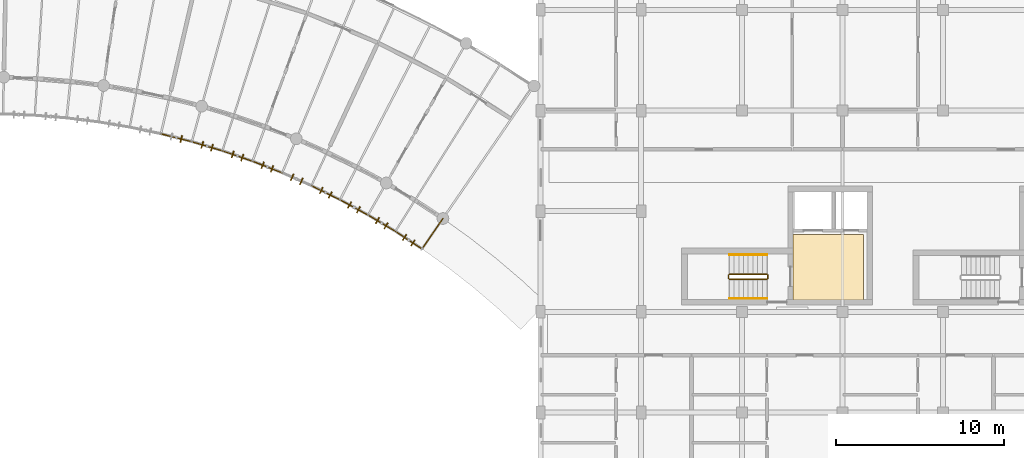
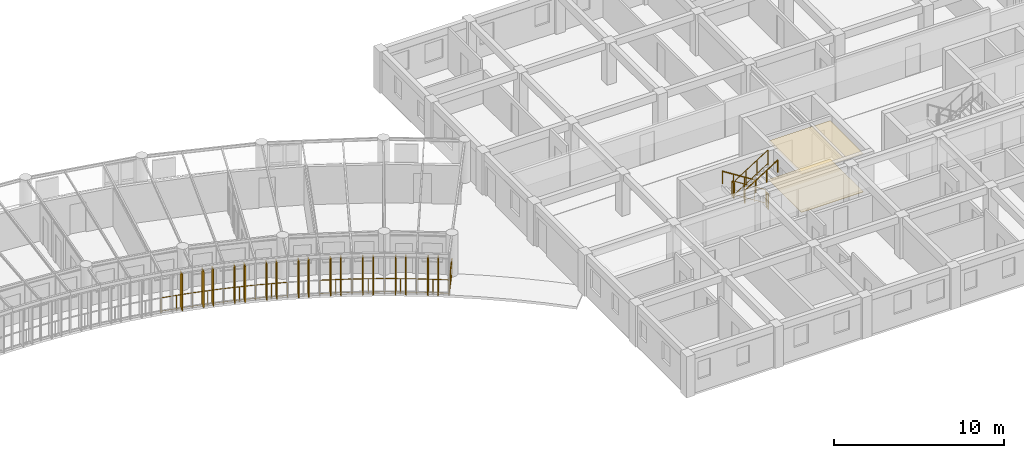
# One storey, part 121 of 123: 17 shading devices, 15 railings, 2 coverings.
"""IFC4 building model written with IfcOpenShell, lengths in metres."""

import ifcopenshell
import ifcopenshell.guid

model = None  # the IFC model being written
_history = None  # IfcOwnerHistory: only IFC2X3 demands one
_inside = {}  # id of a spatial element -> (the spatial element, [elements in it])
_under = {}  # id of a project, library or spatial element -> (it, [spatial elements below it])
_declared = {}  # id of a project -> (the project, [libraries it declares])
_typed = {}  # id of a type object -> (the type object, [elements of that type])
_made_of = {}  # id of a material, layer set ... -> (it, [elements and type objects made of it])


def new_model(schema):
    """Start an empty IFC model of exactly this schema.

    Asked for "IFC4X3", IfcOpenShell would pick the latest addendum, in which some entities
    have other attributes; the version numbers below select the first issue.
    IFC2X3 requires an IfcOwnerHistory on every rooted entity: one is made here for all.
    """
    global model, _history
    if schema == "IFC4X3":
        model = ifcopenshell.file(schema_version=(4, 3, 0, 0))
    else:
        model = ifcopenshell.file(schema=schema)
    _inside.clear()
    _under.clear()
    _declared.clear()
    _typed.clear()
    _made_of.clear()
    _history = None
    if model.schema == "IFC2X3":
        org = make("IfcOrganization", Name="unknown")
        user = make(
            "IfcPersonAndOrganization",
            ThePerson=make("IfcPerson", FamilyName="unknown"),
            TheOrganization=org,
        )
        app = make(
            "IfcApplication",
            ApplicationDeveloper=org,
            Version="unknown",
            ApplicationFullName="unknown",
            ApplicationIdentifier="unknown",
        )
        _history = make(
            "IfcOwnerHistory",
            OwningUser=user,
            OwningApplication=app,
            ChangeAction="ADDED",
            CreationDate=0,
        )
    return model


def make(cls, **values):
    """One entity of the class cls with the attributes given. An attribute that is None is left unset."""
    return model.create_entity(
        cls, **{name: value for name, value in values.items() if value is not None}
    )


def rooted(cls, **values):
    """An entity with a GlobalId (a new one), such as an element, a storey or a relation."""
    return make(cls, GlobalId=ifcopenshell.guid.new(), OwnerHistory=_history, **values)


def si_unit(unit_type, name, prefix=None):
    """IfcSIUnit, for example si_unit("LENGTHUNIT", "METRE", prefix="MILLI")."""
    return make("IfcSIUnit", UnitType=unit_type, Prefix=prefix, Name=name)


def assignment(units):
    """IfcUnitAssignment: the units of a project."""
    return None if units is None else make("IfcUnitAssignment", Units=units)


def point(xyz):
    """IfcCartesianPoint."""
    return None if xyz is None else make("IfcCartesianPoint", Coordinates=xyz)


def direction(xyz):
    """IfcDirection."""
    return None if xyz is None else make("IfcDirection", DirectionRatios=xyz)


def frame(location, z_axis=None, x_axis=None):
    """IfcAxis2Placement3D, a coordinate frame: its origin and axes. An axis left out is left unset."""
    return make(
        "IfcAxis2Placement3D",
        Location=point(location),
        Axis=direction(z_axis),
        RefDirection=direction(x_axis),
    )


def frame_2d(location, x_axis=None):
    """IfcAxis2Placement2D, a coordinate frame in the plane: its origin and x axis."""
    return make(
        "IfcAxis2Placement2D", Location=point(location), RefDirection=direction(x_axis)
    )


def origin():
    """The frame at (0, 0, 0) with its axes left unset."""
    return frame((0.0, 0.0, 0.0))


def origin_2d():
    """The frame at (0, 0) in the plane with its x axis left unset."""
    return frame_2d((0.0, 0.0))


def place(relative_to, where):
    """IfcLocalPlacement: puts the frame where relative to a parent placement (None: the world)."""
    return make(
        "IfcLocalPlacement", PlacementRelTo=relative_to, RelativePlacement=where
    )


def context(
    kind, dimensions, precision=None, world=None, true_north=None, identifier=None
):
    """IfcGeometricRepresentationContext, for example the 3D "Model" context."""
    return make(
        "IfcGeometricRepresentationContext",
        ContextIdentifier=identifier,
        ContextType=kind,
        CoordinateSpaceDimension=dimensions,
        Precision=precision,
        WorldCoordinateSystem=world,
        TrueNorth=true_north,
    )


def subcontext(parent, identifier, kind, view, scale=None):
    """IfcGeometricRepresentationSubContext, for example "Body" below "Model"."""
    return make(
        "IfcGeometricRepresentationSubContext",
        ContextIdentifier=identifier,
        ContextType=kind,
        ParentContext=parent,
        TargetScale=scale,
        TargetView=view,
    )


def project(units=None, contexts=None):
    """IfcProject with its units and contexts."""
    return rooted(
        "IfcProject",
        Name="project",
        RepresentationContexts=contexts,
        UnitsInContext=assignment(units),
    )


def spatial(cls, under=None, at=None, **own):
    """A site, building, storey or space (cls), placed at a placement, below another one or the project."""
    s = rooted(cls, ObjectPlacement=at, **own)
    if under is not None:
        _under.setdefault(under.id(), (under, []))[1].append(s)
    return s


def polyline(points):
    """IfcPolyline through the points."""
    return make("IfcPolyline", Points=[point(p) for p in points])


def profile(cls, at=None, kind="AREA", **sizes):
    """A parametric profile (cls). Its sizes go by their IFC names, for example OverallWidth=200.0."""
    return make(cls, ProfileType=kind, Position=at, **sizes)


def rectangle(**sizes):
    """IfcRectangleProfileDef."""
    return profile("IfcRectangleProfileDef", **sizes)


def circle(**sizes):
    """IfcCircleProfileDef."""
    return profile("IfcCircleProfileDef", **sizes)


def outline(outer, holes=None, kind="AREA"):
    """IfcArbitraryClosedProfileDef: a profile drawn as a closed curve; with holes, ...WithVoids."""
    if holes is None:
        return make("IfcArbitraryClosedProfileDef", ProfileType=kind, OuterCurve=outer)
    return make(
        "IfcArbitraryProfileDefWithVoids",
        ProfileType=kind,
        OuterCurve=outer,
        InnerCurves=holes,
    )


def extrude(swept, where, along, depth):
    """IfcExtrudedAreaSolid: the profile swept, set in the frame where, extruded along a direction by depth."""
    return make(
        "IfcExtrudedAreaSolid",
        SweptArea=swept,
        Position=where,
        ExtrudedDirection=direction(along),
        Depth=depth,
    )


def shape(context_of_items, identifier, shape_type, items):
    """IfcShapeRepresentation: the items that make up one representation, for example the "Body"."""
    return make(
        "IfcShapeRepresentation",
        ContextOfItems=context_of_items,
        RepresentationIdentifier=identifier,
        RepresentationType=shape_type,
        Items=items,
    )


def material(Name=None, Category=None):
    """IfcMaterial."""
    return make("IfcMaterial", Name=Name, Category=Category)


def layer(
    of_material, thickness, ventilated=None, Name=None, Category=None, Priority=None
):
    """IfcMaterialLayer: one layer of a wall or slab, of a material (None: an air gap)."""
    return make(
        "IfcMaterialLayer",
        Material=of_material,
        LayerThickness=thickness,
        IsVentilated=ventilated,
        Name=Name,
        Category=Category,
        Priority=Priority,
    )


def layer_set(layers, Name=None):
    """IfcMaterialLayerSet."""
    return make("IfcMaterialLayerSet", MaterialLayers=layers, LayerSetName=Name)


def made_of(thing, what):
    """Note that an element or type object is made of a material, layer set ...; save() writes the relation."""
    if what is not None:
        _made_of.setdefault(what.id(), (what, []))[1].append(thing)
    return thing


def type_object(cls, material=None, **own):
    """A type object (cls), such as IfcWallType, which elements share."""
    return made_of(rooted(cls, **own), material)


def element(
    cls,
    number,
    at=None,
    inside=None,
    cuts=None,
    type_object=None,
    material=None,
    context=None,
    identifier="Body",
    shape_type=None,
    held_by="IfcProductDefinitionShape",
    body=None,
    shapes=None,
    **own,
):
    """One element of the class cls, such as IfcWall. Its Tag is "e" and its number.

    at: its placement. inside: the storey or other place that contains it. cuts: it is an
    opening in that element (IfcRelVoidsElement). A single representation is given by context,
    identifier, shape_type and body (its items); several are given by shapes. held_by: the class
    of the entity that holds the representations. save() writes the other relations.
    """
    e = rooted(cls, Tag="e%d" % number, ObjectPlacement=at, **own)
    if body is not None:
        shapes = [shape(context, identifier, shape_type, body)]
    if shapes is not None:
        e.Representation = make(held_by, Representations=shapes)
    if inside is not None:
        _inside.setdefault(inside.id(), (inside, []))[1].append(e)
    if cuts is not None:
        rooted(
            "IfcRelVoidsElement", RelatingBuildingElement=cuts, RelatedOpeningElement=e
        )
    if type_object is not None:
        _typed.setdefault(type_object.id(), (type_object, []))[1].append(e)
    return made_of(e, material)


def aggregate(whole, parts):
    """IfcRelAggregates: a whole, such as a stair, and the parts it consists of."""
    return rooted("IfcRelAggregates", RelatingObject=whole, RelatedObjects=parts)


def save(model, path):
    """Write the relations noted so far, then the file.

    IfcRelAggregates (storeys below a building ...), IfcRelContainedInSpatialStructure (elements
    in a storey), IfcRelDefinesByType, IfcRelAssociatesMaterial and IfcRelDeclares: one each for
    every whole, place, type object, material and project.
    """
    for whole, parts in _under.values():
        aggregate(whole, parts)
    for where, things in _inside.values():
        rooted(
            "IfcRelContainedInSpatialStructure",
            RelatedElements=things,
            RelatingStructure=where,
        )
    for kind, things in _typed.values():
        rooted("IfcRelDefinesByType", RelatedObjects=things, RelatingType=kind)
    for what, things in _made_of.values():
        rooted("IfcRelAssociatesMaterial", RelatedObjects=things, RelatingMaterial=what)
    for by, libraries in _declared.values():
        rooted("IfcRelDeclares", RelatingContext=by, RelatedDefinitions=libraries)
    model.write(path)


model = new_model("IFC4")

# Units and contexts
model_context = context("Model", 3, precision=1e-05, world=origin(), true_north=direction((0.0, 1.0)))
body_context = subcontext(model_context, "Body", "Model", "MODEL_VIEW")
ifc_project = project(units=[si_unit("LENGTHUNIT", "METRE"), si_unit("AREAUNIT", "SQUARE_METRE"), si_unit("VOLUMEUNIT", "CUBIC_METRE"), si_unit("PLANEANGLEUNIT", "RADIAN"), si_unit("MASSUNIT", "GRAM", prefix="KILO"), si_unit("POWERUNIT", "WATT"), si_unit("THERMODYNAMICTEMPERATUREUNIT", "KELVIN")], contexts=[model_context])

# Site, building, storey
site_placement = place(None, origin())
site = spatial("IfcSite", under=ifc_project, at=site_placement, CompositionType="ELEMENT")
building_placement = place(site_placement, origin())
building = spatial("IfcBuilding", under=site, at=building_placement, Name="Ruvembo Vaulted Housing Court", CompositionType="ELEMENT")
storey_placement = place(building_placement, frame((0.0, 0.0, 7.699951171875)))
storey = spatial("IfcBuildingStorey", under=building, at=storey_placement, Name="L02", CompositionType="ELEMENT", Elevation=7.699951171875)

# Coverings
ifc_material_1 = material(Name="Perforated Mineral-Fibre Acoustic Tile", Category="gypsum")
ifc_layer_1 = layer(ifc_material_1, 0.02001953125, Name="Perforated Mineral-Fibre Acoustic Tile")
ifc_layer_set_1 = layer_set([ifc_layer_1], Name="Perforated Mineral-Fibre Acoustic Tile")
covering_type_1 = type_object("IfcCoveringType", Name="COV-CEIL-ACOUST", PredefinedType="CEILING", material=ifc_layer_set_1)
covering_1_placement = place(storey_placement, frame((0.0, 0.0, 2.75)))
element("IfcCovering", 1, at=covering_1_placement, inside=storey, type_object=covering_type_1, Name="Protected Core Lobby D1 Ceiling", PredefinedType="CEILING", context=body_context, shape_type="SweptSolid", body=[
    extrude(outline(polyline([(169.25, 88.60009765625), (165.050048828125, 88.60009765625), (165.050048828125, 84.699951171875), (169.25, 84.699951171875), (169.25, 88.60009765625)])), origin(), (0.0, 0.0, 1.0), 0.02001953125),
])
ifc_material_2 = material(Name="Polished Cement-Aggregate Terrazzo", Category="stone")
ifc_layer_2 = layer(ifc_material_2, 0.02197265625, Name="Polished Cement-Aggregate Terrazzo")
ifc_layer_set_2 = layer_set([ifc_layer_2], Name="Polished Cement-Aggregate Terrazzo")
covering_type_2 = type_object("IfcCoveringType", Name="COV-FLR-CERAMIC", PredefinedType="FLOORING", material=ifc_layer_set_2)
covering_2_placement = place(storey_placement, origin())
element("IfcCovering", 2, at=covering_2_placement, inside=storey, type_object=covering_type_2, Name="Protected Core Lobby D1 Flooring", PredefinedType="FLOORING", context=body_context, shape_type="SweptSolid", body=[
    extrude(outline(polyline([(169.25, 88.60009765625), (165.050048828125, 88.60009765625), (165.050048828125, 84.699951171875), (169.25, 84.699951171875), (169.25, 88.60009765625)])), origin(), (0.0, 0.0, 1.0), 0.02197265625),
])

# Railings
ifc_material_3 = material(Name="Galvanised Painted Steel S275", Category="steel")
ifc_layer_3 = layer(ifc_material_3, 0.06005859375, Name="Galvanised Painted Steel S275")
ifc_layer_set_3 = layer_set([ifc_layer_3], Name="Galvanised Painted Steel S275")
railing_type_1 = type_object("IfcRailingType", Name="RL-GUARD-1100", PredefinedType="GUARDRAIL", material=ifc_layer_set_3)
railing_1_placement = place(storey_placement, frame((127.365966796875, 94.611572265625, 0.0)))
element("IfcRailing", 3, at=railing_1_placement, inside=storey, type_object=railing_type_1, Name="L02 Perimeter Guard RL-EXT-L02-0629", PredefinedType="GUARDRAIL", context=body_context, shape_type="SweptSolid", body=[
    extrude(circle(Radius=0.02392578125, at=origin_2d()), frame((0.0, 0.0, 1.076171875), z_axis=(0.969121730429, -0.246582788553, 0.0), x_axis=(0.246582788553, 0.969121730429, 0.0)), (0.0, 0.0, 1.0), 1.90087890625),
    extrude(circle(Radius=0.01806640625, at=origin_2d()), frame((0.0, 0.0, 0.1201171875), z_axis=(0.969121730429, -0.246582788553, 0.0), x_axis=(0.246582788553, 0.969121730429, 0.0)), (0.0, 0.0, 1.0), 1.90087890625),
    extrude(circle(Radius=0.02099609375, at=origin_2d()), origin(), (0.0, 0.0, 1.0), 1.052001953125),
    extrude(circle(Radius=0.02099609375, at=origin_2d()), frame((0.921142578125, -0.234375, 0.0)), (0.0, 0.0, 1.0), 1.052001953125),
    extrude(circle(Radius=0.02099609375, at=origin_2d()), frame((1.84228515625, -0.46875, 0.0)), (0.0, 0.0, 1.0), 1.052001953125),
])
railing_2_placement = place(storey_placement, frame((129.208251953125, 94.142822265625, 0.0)))
element("IfcRailing", 4, at=railing_2_placement, inside=storey, type_object=railing_type_1, Name="L02 Perimeter Guard RL-EXT-L02-0630", PredefinedType="GUARDRAIL", context=body_context, shape_type="SweptSolid", body=[
    extrude(circle(Radius=0.02392578125, at=origin_2d()), frame((0.0, 0.0, 1.076171875), z_axis=(0.958108609181, -0.286405120439, 0.0), x_axis=(0.286405120439, 0.958108609181, 0.0)), (0.0, 0.0, 1.0), 1.90087890625),
    extrude(circle(Radius=0.01806640625, at=origin_2d()), frame((0.0, 0.0, 0.1201171875), z_axis=(0.958108609181, -0.286405120439, 0.0), x_axis=(0.286405120439, 0.958108609181, 0.0)), (0.0, 0.0, 1.0), 1.90087890625),
    extrude(circle(Radius=0.02099609375, at=origin_2d()), origin(), (0.0, 0.0, 1.0), 1.052001953125),
    extrude(circle(Radius=0.02099609375, at=origin_2d()), frame((0.91064453125, -0.272216796875, 0.0)), (0.0, 0.0, 1.0), 1.052001953125),
    extrude(circle(Radius=0.02099609375, at=origin_2d()), frame((1.8212890625, -0.54443359375, 0.0)), (0.0, 0.0, 1.0), 1.052001953125),
])
railing_3_placement = place(storey_placement, frame((131.029541015625, 93.598388671875, 0.0)))
element("IfcRailing", 5, at=railing_3_placement, inside=storey, type_object=railing_type_1, Name="L02 Perimeter Guard RL-EXT-L02-0631", PredefinedType="GUARDRAIL", context=body_context, shape_type="SweptSolid", body=[
    extrude(circle(Radius=0.02392578125, at=origin_2d()), frame((0.0, 0.0, 1.076171875), z_axis=(0.945357969834, -0.326034214264, 0.0), x_axis=(0.326034214264, 0.945357969834, 0.0)), (0.0, 0.0, 1.0), 1.9013671875),
    extrude(circle(Radius=0.01806640625, at=origin_2d()), frame((0.0, 0.0, 0.1201171875), z_axis=(0.945357969834, -0.326034214264, 0.0), x_axis=(0.326034214264, 0.945357969834, 0.0)), (0.0, 0.0, 1.0), 1.9013671875),
    extrude(circle(Radius=0.02099609375, at=origin_2d()), origin(), (0.0, 0.0, 1.0), 1.052001953125),
    extrude(circle(Radius=0.02099609375, at=origin_2d()), frame((0.898681640625, -0.31005859375, 0.0)), (0.0, 0.0, 1.0), 1.052001953125),
    extrude(circle(Radius=0.02099609375, at=origin_2d()), frame((1.79736328125, -0.619873046875, 0.0)), (0.0, 0.0, 1.0), 1.052001953125),
])
railing_4_placement = place(storey_placement, frame((132.826904296875, 92.978515625, 0.0)))
element("IfcRailing", 6, at=railing_4_placement, inside=storey, type_object=railing_type_1, Name="L02 Perimeter Guard RL-EXT-L02-0632", PredefinedType="GUARDRAIL", context=body_context, shape_type="SweptSolid", body=[
    extrude(circle(Radius=0.02392578125, at=origin_2d()), frame((0.0, 0.0, 1.076171875), z_axis=(0.931005720133, -0.365004587752, 0.0), x_axis=(0.365004587752, 0.931005720133, 0.0)), (0.0, 0.0, 1.0), 1.90087890625),
    extrude(circle(Radius=0.01806640625, at=origin_2d()), frame((0.0, 0.0, 0.1201171875), z_axis=(0.931005720133, -0.365004587752, 0.0), x_axis=(0.365004587752, 0.931005720133, 0.0)), (0.0, 0.0, 1.0), 1.90087890625),
    extrude(circle(Radius=0.02099609375, at=origin_2d()), origin(), (0.0, 0.0, 1.0), 1.052001953125),
    extrude(circle(Radius=0.02099609375, at=origin_2d()), frame((0.884765625, -0.346923828125, 0.0)), (0.0, 0.0, 1.0), 1.052001953125),
    extrude(circle(Radius=0.02099609375, at=origin_2d()), frame((1.769775390625, -0.69384765625, 0.0)), (0.0, 0.0, 1.0), 1.052001953125),
])
railing_5_placement = place(storey_placement, frame((136.336181640625, 91.51806640625, 0.0)))
element("IfcRailing", 7, at=railing_5_placement, inside=storey, type_object=railing_type_1, Name="L02 Perimeter Guard RL-EXT-L02-0634", PredefinedType="GUARDRAIL", context=body_context, shape_type="SweptSolid", body=[
    extrude(circle(Radius=0.02392578125, at=origin_2d()), frame((0.0, 0.0, 1.076171875), z_axis=(0.897513310314, -0.44098736695, 0.0), x_axis=(0.44098736695, 0.897513310314, 0.0)), (0.0, 0.0, 1.0), 1.901123046875),
    extrude(circle(Radius=0.01806640625, at=origin_2d()), frame((0.0, 0.0, 0.1201171875), z_axis=(0.897513310314, -0.44098736695, 0.0), x_axis=(0.44098736695, 0.897513310314, 0.0)), (0.0, 0.0, 1.0), 1.901123046875),
    extrude(circle(Radius=0.02099609375, at=origin_2d()), origin(), (0.0, 0.0, 1.0), 1.052001953125),
    extrude(circle(Radius=0.02099609375, at=origin_2d()), frame((0.85302734375, -0.419189453125, 0.0)), (0.0, 0.0, 1.0), 1.052001953125),
    extrude(circle(Radius=0.02099609375, at=origin_2d()), frame((1.706298828125, -0.83837890625, 0.0)), (0.0, 0.0, 1.0), 1.052001953125),
])
railing_6_placement = place(storey_placement, frame((138.04248046875, 90.6796875, 0.0)))
element("IfcRailing", 8, at=railing_6_placement, inside=storey, type_object=railing_type_1, Name="L02 Perimeter Guard RL-EXT-L02-0635", PredefinedType="GUARDRAIL", context=body_context, shape_type="SweptSolid", body=[
    extrude(circle(Radius=0.02392578125, at=origin_2d()), frame((0.0, 0.0, 1.076171875), z_axis=(0.878513214386, -0.477718046706, 0.0), x_axis=(0.477718046706, 0.878513214386, 0.0)), (0.0, 0.0, 1.0), 1.901123046875),
    extrude(circle(Radius=0.01806640625, at=origin_2d()), frame((0.0, 0.0, 0.1201171875), z_axis=(0.878513214386, -0.477718046706, 0.0), x_axis=(0.477718046706, 0.878513214386, 0.0)), (0.0, 0.0, 1.0), 1.901123046875),
    extrude(circle(Radius=0.02099609375, at=origin_2d()), origin(), (0.0, 0.0, 1.0), 1.052001953125),
    extrude(circle(Radius=0.02099609375, at=origin_2d()), frame((0.8349609375, -0.4541015625, 0.0)), (0.0, 0.0, 1.0), 1.052001953125),
    extrude(circle(Radius=0.02099609375, at=origin_2d()), frame((1.670166015625, -0.908203125, 0.0)), (0.0, 0.0, 1.0), 1.052001953125),
])
railing_7_placement = place(storey_placement, frame((139.712646484375, 89.771484375, 0.0)))
element("IfcRailing", 9, at=railing_7_placement, inside=storey, type_object=railing_type_1, Name="L02 Perimeter Guard RL-EXT-L02-0636", PredefinedType="GUARDRAIL", context=body_context, shape_type="SweptSolid", body=[
    extrude(circle(Radius=0.02392578125, at=origin_2d()), frame((0.0, 0.0, 1.076171875), z_axis=(0.857889282303, -0.513834583607, 0.0), x_axis=(0.513834583607, 0.857889282303, 0.0)), (0.0, 0.0, 1.0), 1.901123046875),
    extrude(circle(Radius=0.01806640625, at=origin_2d()), frame((0.0, 0.0, 0.1201171875), z_axis=(0.857889282303, -0.513834583607, 0.0), x_axis=(0.513834583607, 0.857889282303, 0.0)), (0.0, 0.0, 1.0), 1.901123046875),
    extrude(circle(Radius=0.02099609375, at=origin_2d()), origin(), (0.0, 0.0, 1.0), 1.052001953125),
    extrude(circle(Radius=0.02099609375, at=origin_2d()), frame((0.8154296875, -0.48828125, 0.0)), (0.0, 0.0, 1.0), 1.052001953125),
    extrude(circle(Radius=0.02099609375, at=origin_2d()), frame((1.630859375, -0.976806640625, 0.0)), (0.0, 0.0, 1.0), 1.052001953125),
])
railing_8_placement = place(storey_placement, frame((141.343505859375, 88.794677734375, 0.0)))
element("IfcRailing", 10, at=railing_8_placement, inside=storey, type_object=railing_type_1, Name="L02 Perimeter Guard RL-EXT-L02-0637", PredefinedType="GUARDRAIL", context=body_context, shape_type="SweptSolid", body=[
    extrude(circle(Radius=0.02392578125, at=origin_2d()), frame((0.0, 0.0, 1.076171875), z_axis=(0.835902452778, -0.548878027834, 0.0), x_axis=(0.548878027834, 0.835902452778, 0.0)), (0.0, 0.0, 1.0), 1.901123046875),
    extrude(circle(Radius=0.01806640625, at=origin_2d()), frame((0.0, 0.0, 0.1201171875), z_axis=(0.835902452778, -0.548878027834, 0.0), x_axis=(0.548878027834, 0.835902452778, 0.0)), (0.0, 0.0, 1.0), 1.901123046875),
    extrude(circle(Radius=0.02099609375, at=origin_2d()), origin(), (0.0, 0.0, 1.0), 1.052001953125),
    extrude(circle(Radius=0.02099609375, at=origin_2d()), frame((0.79443359375, -0.521728515625, 0.0)), (0.0, 0.0, 1.0), 1.052001953125),
    extrude(circle(Radius=0.02099609375, at=origin_2d()), frame((1.589111328125, -1.04345703125, 0.0)), (0.0, 0.0, 1.0), 1.052001953125),
])
railing_9_placement = place(storey_placement, frame((142.9326171875, 87.751220703125, 0.0)))
element("IfcRailing", 11, at=railing_9_placement, inside=storey, type_object=railing_type_1, Name="L02 Perimeter Guard RL-EXT-L02-0638", PredefinedType="GUARDRAIL", context=body_context, shape_type="SweptSolid", body=[
    extrude(circle(Radius=0.02392578125, at=origin_2d()), frame((0.0, 0.0, 1.076171875), z_axis=(0.566222630619, 0.82425234763, 0.0), x_axis=(-0.82425234763, 0.566222630619, 0.0)), (0.0, 0.0, 1.0), 2.199951171875),
    extrude(circle(Radius=0.01806640625, at=origin_2d()), frame((0.0, 0.0, 0.1201171875), z_axis=(0.566222630619, 0.82425234763, 0.0), x_axis=(-0.82425234763, 0.566222630619, 0.0)), (0.0, 0.0, 1.0), 2.199951171875),
    extrude(circle(Radius=0.02099609375, at=origin_2d()), origin(), (0.0, 0.0, 1.0), 1.052001953125),
    extrude(circle(Radius=0.02099609375, at=origin_2d()), frame((0.622802734375, 0.90673828125, 0.0)), (0.0, 0.0, 1.0), 1.052001953125),
    extrude(circle(Radius=0.02099609375, at=origin_2d()), frame((1.24560546875, 1.813232421875, 0.0)), (0.0, 0.0, 1.0), 1.052001953125),
])
ifc_material_4 = material(Name="Painted Galvanised Steel S275", Category="steel")
ifc_layer_4 = layer(ifc_material_4, 0.06005859375, Name="Painted Galvanised Steel S275")
ifc_layer_set_4 = layer_set([ifc_layer_4], Name="Painted Galvanised Steel S275")
railing_type_2 = type_object("IfcRailingType", Name="RL-STAIR-GR1100", PredefinedType="GUARDRAIL", material=ifc_layer_set_4)
railing_10_placement = place(storey_placement, frame((163.5, 86.25, 0.177734375)))
element("IfcRailing", 12, at=railing_10_placement, inside=storey, type_object=railing_type_2, Name="L02 ST-D1 stair guard 1", PredefinedType="GUARDRAIL", context=body_context, shape_type="SweptSolid", body=[
    extrude(circle(Radius=0.02392578125, at=origin_2d()), frame((0.0, 0.0, 1.076171875), z_axis=(-0.84418770128, 0.0, 0.536047689118), x_axis=(0.0, -1.0, 0.0)), (0.0, 0.0, 1.0), 2.6533203125),
    extrude(circle(Radius=0.01806640625, at=origin_2d()), frame((0.0, 0.0, 0.1201171875), z_axis=(-0.84418770128, 0.0, 0.536047689118), x_axis=(0.0, -1.0, 0.0)), (0.0, 0.0, 1.0), 2.6533203125),
    extrude(circle(Radius=0.02099609375, at=origin_2d()), origin(), (0.0, 0.0, 1.0), 1.052001953125),
    extrude(circle(Radius=0.02099609375, at=origin_2d()), frame((-0.74658203125, 0.0, 0.47412109375)), (0.0, 0.0, 1.0), 1.052001953125),
    extrude(circle(Radius=0.02099609375, at=origin_2d()), frame((-1.493408203125, 0.0, 0.9482421875)), (0.0, 0.0, 1.0), 1.052001953125),
    extrude(circle(Radius=0.02099609375, at=origin_2d()), frame((-2.239990234375, 0.0, 1.42236328125)), (0.0, 0.0, 1.0), 1.052001953125),
])
railing_11_placement = place(storey_placement, frame((161.2099609375, 86.199951171875, 1.60009765625)))
element("IfcRailing", 13, at=railing_11_placement, inside=storey, type_object=railing_type_2, Name="L02 ST-D1 stair guard 2", PredefinedType="GUARDRAIL", context=body_context, shape_type="SweptSolid", body=[
    extrude(circle(Radius=0.02392578125, at=origin_2d()), frame((0.0, 0.0, 1.076171875), z_axis=(0.0, -1.0, 0.0), x_axis=(1.0, 0.0, 0.0)), (0.0, 0.0, 1.0), 0.199951171875),
    extrude(circle(Radius=0.01806640625, at=origin_2d()), frame((0.0, 0.0, 0.1201171875), z_axis=(0.0, -1.0, 0.0), x_axis=(1.0, 0.0, 0.0)), (0.0, 0.0, 1.0), 0.199951171875),
    extrude(circle(Radius=0.02099609375, at=origin_2d()), origin(), (0.0, 0.0, 1.0), 1.052001953125),
    extrude(circle(Radius=0.02099609375, at=origin_2d()), frame((0.0, -0.199951171875, 0.0)), (0.0, 0.0, 1.0), 1.052001953125),
])
railing_12_placement = place(storey_placement, frame((161.260009765625, 85.949951171875, 1.77783203125)))
element("IfcRailing", 14, at=railing_12_placement, inside=storey, type_object=railing_type_2, Name="L02 ST-D1 stair guard 3", PredefinedType="GUARDRAIL", context=body_context, shape_type="SweptSolid", body=[
    extrude(circle(Radius=0.02392578125, at=origin_2d()), frame((0.0, 0.0, 1.076171875), z_axis=(0.8442293374, 0.0, 0.53598211339), x_axis=(0.0, 1.0, 0.0)), (0.0, 0.0, 1.0), 2.6533203125),
    extrude(circle(Radius=0.01806640625, at=origin_2d()), frame((0.0, 0.0, 0.1201171875), z_axis=(0.8442293374, 0.0, 0.53598211339), x_axis=(0.0, 1.0, 0.0)), (0.0, 0.0, 1.0), 2.6533203125),
    extrude(circle(Radius=0.02099609375, at=origin_2d()), origin(), (0.0, 0.0, 1.0), 1.052001953125),
    extrude(circle(Radius=0.02099609375, at=origin_2d()), frame((0.74658203125, 0.0, 0.47412109375)), (0.0, 0.0, 1.0), 1.052001953125),
    extrude(circle(Radius=0.02099609375, at=origin_2d()), frame((1.493408203125, 0.0, 0.947998046875)), (0.0, 0.0, 1.0), 1.052001953125),
    extrude(circle(Radius=0.02099609375, at=origin_2d()), frame((2.239990234375, 0.0, 1.422119140625)), (0.0, 0.0, 1.0), 1.052001953125),
])
railing_13_placement = place(storey_placement, frame((163.550048828125, 86.199951171875, 0.0)))
element("IfcRailing", 15, at=railing_13_placement, inside=storey, type_object=railing_type_2, Name="L02 ST-D1 stair guard 4", PredefinedType="GUARDRAIL", context=body_context, shape_type="SweptSolid", body=[
    extrude(circle(Radius=0.02392578125, at=origin_2d()), frame((0.0, 0.0, 1.076171875), z_axis=(0.0, -1.0, 0.0), x_axis=(1.0, 0.0, 0.0)), (0.0, 0.0, 1.0), 0.199951171875),
    extrude(circle(Radius=0.01806640625, at=origin_2d()), frame((0.0, 0.0, 0.1201171875), z_axis=(0.0, -1.0, 0.0), x_axis=(1.0, 0.0, 0.0)), (0.0, 0.0, 1.0), 0.199951171875),
    extrude(circle(Radius=0.02099609375, at=origin_2d()), origin(), (0.0, 0.0, 1.0), 1.052001953125),
    extrude(circle(Radius=0.02099609375, at=origin_2d()), frame((0.0, -0.199951171875, 0.0)), (0.0, 0.0, 1.0), 1.052001953125),
])
ifc_material_5 = material(Name="Brushed Stainless Steel 304", Category="steel")
ifc_layer_5 = layer(ifc_material_5, 0.050048828125, Name="Brushed Stainless Steel 304")
ifc_layer_set_5 = layer_set([ifc_layer_5], Name="Brushed Stainless Steel 304")
railing_type_3 = type_object("IfcRailingType", Name="RL-STAIR-HR920", PredefinedType="HANDRAIL", material=ifc_layer_set_5)
railing_14_placement = place(storey_placement, frame((163.5, 87.39990234375, 0.359375)))
element("IfcRailing", 16, at=railing_14_placement, inside=storey, type_object=railing_type_3, Name="L02 ST-D1 stair handrail 1", PredefinedType="HANDRAIL", context=body_context, shape_type="SweptSolid", body=[
    extrude(circle(Radius=0.02392578125, at=origin_2d()), frame((0.0, 0.0, 0.8759765625), z_axis=(-0.8442293374, 0.0, 0.53598211339), x_axis=(0.0, -1.0, 0.0)), (0.0, 0.0, 1.0), 2.6533203125),
    extrude(circle(Radius=0.02099609375, at=origin_2d()), origin(), (0.0, 0.0, 1.0), 0.851806640625),
    extrude(circle(Radius=0.02099609375, at=origin_2d()), frame((-0.74658203125, 0.0, 0.47412109375)), (0.0, 0.0, 1.0), 0.851806640625),
    extrude(circle(Radius=0.02099609375, at=origin_2d()), frame((-1.493408203125, 0.0, 0.947998046875)), (0.0, 0.0, 1.0), 0.851806640625),
    extrude(circle(Radius=0.02099609375, at=origin_2d()), frame((-2.239990234375, 0.0, 1.422119140625)), (0.0, 0.0, 1.0), 0.851806640625),
])
railing_15_placement = place(storey_placement, frame((161.260009765625, 84.800048828125, 1.959228515625)))
element("IfcRailing", 17, at=railing_15_placement, inside=storey, type_object=railing_type_3, Name="L02 ST-D1 stair handrail 2", PredefinedType="HANDRAIL", context=body_context, shape_type="SweptSolid", body=[
    extrude(circle(Radius=0.02392578125, at=origin_2d()), frame((0.0, 0.0, 0.8759765625), z_axis=(0.84418770128, 0.0, 0.536047689118), x_axis=(0.0, 1.0, 0.0)), (0.0, 0.0, 1.0), 2.6533203125),
    extrude(circle(Radius=0.02099609375, at=origin_2d()), origin(), (0.0, 0.0, 1.0), 0.851806640625),
    extrude(circle(Radius=0.02099609375, at=origin_2d()), frame((0.74658203125, 0.0, 0.47412109375)), (0.0, 0.0, 1.0), 0.851806640625),
    extrude(circle(Radius=0.02099609375, at=origin_2d()), frame((1.493408203125, 0.0, 0.9482421875)), (0.0, 0.0, 1.0), 0.851806640625),
    extrude(circle(Radius=0.02099609375, at=origin_2d()), frame((2.239990234375, 0.0, 1.42236328125)), (0.0, 0.0, 1.0), 0.851806640625),
])

# Shading devices
ifc_material_6 = material(Name="Kiln-Fired Terracotta Extrusion", Category="masonry")
shading_device_type = type_object("IfcShadingDeviceType", Name="SHD-FIN-420", PredefinedType="USERDEFINED", material=ifc_material_6)
for number, where, z_axis, x_axis, name in (
    (18, (128.577880859375, 94.30322265625, 0.050048828125), (0.0, 0.0, 1.0), (-0.246491603437, -0.969144926951, 0.0), "Terracotta Brise-Soleil Fin #570"),
    (19, (129.83154296875, 93.95654296875, 0.050048828125), (0.0, 0.0, 1.0), (-0.2864911095, -0.958082900472, 0.0), "Terracotta Brise-Soleil Fin #571"),
    (20, (130.406494140625, 93.78466796875, 0.050048828125), (0.0, 0.0, 1.0), (-0.2864911095, -0.958082900472, 0.0), "Terracotta Brise-Soleil Fin #572"),
    (21, (131.64453125, 93.38623046875, 0.050048828125), (0.0, 0.0, 1.0), (-0.326030183107, -0.945359360087, 0.0), "Terracotta Brise-Soleil Fin #573"),
    (22, (132.2119140625, 93.190673828125, 0.050048828125), (0.0, 0.0, 1.0), (-0.326030183107, -0.945359360087, 0.0), "Terracotta Brise-Soleil Fin #574"),
    (23, (133.432373046875, 92.7412109375, 0.050048828125), (0.0, 0.0, 1.0), (-0.364958032896, -0.931023970811, 0.0), "Terracotta Brise-Soleil Fin #575"),
    (24, (133.9912109375, 92.522216796875, 0.050048828125), (0.0, 0.0, 1.0), (-0.364958032896, -0.931023970811, 0.0), "Terracotta Brise-Soleil Fin #576"),
    (25, (135.19189453125, 92.022216796875, 0.050048828125), (0.0, 0.0, 1.0), (-0.403305746645, -0.915065284405, 0.0), "Terracotta Brise-Soleil Fin #577"),
    (26, (135.740966796875, 91.780517578125, 0.050048828125), (0.0, 0.0, 1.0), (-0.403305746645, -0.915065284405, 0.0), "Terracotta Brise-Soleil Fin #578"),
    (27, (136.920166015625, 91.231201171875, 0.050048828125), (0.0, 0.0, 1.0), (-0.440910671447, -0.897550990086, 0.0), "Terracotta Brise-Soleil Fin #579"),
    (28, (137.458740234375, 90.966552734375, 0.050048828125), (0.0, 0.0, 1.0), (-0.440910671447, -0.897550990086, 0.0), "Terracotta Brise-Soleil Fin #580"),
    (29, (138.614013671875, 90.368896484375, 0.050048828125), (0.0, 0.0, 1.0), (-0.477787506376, -0.878475440038, 0.0), "Terracotta Brise-Soleil Fin #581"),
    (30, (139.14111328125, 90.082275390625, 0.050048828125), (0.0, 0.0, 1.0), (-0.477787506376, -0.878475440038, 0.0), "Terracotta Brise-Soleil Fin #582"),
    (31, (140.270751953125, 89.437255859375, 0.050048828125), (0.0, 0.0, 1.0), (-0.513825768915, -0.857894561819, 0.0), "Terracotta Brise-Soleil Fin #583"),
    (32, (140.785400390625, 89.12890625, 0.050048828125), (0.0, 0.0, 1.0), (-0.513825768915, -0.857894561819, 0.0), "Terracotta Brise-Soleil Fin #584"),
    (33, (141.88720703125, 88.4375, 0.050048828125), (0.0, 0.0, 1.0), (-0.548964466299, -0.835845688355, 0.0), "Terracotta Brise-Soleil Fin #585"),
    (34, (142.388916015625, 88.108154296875, 0.050048828125), (0.0, 0.0, 1.0), (-0.548964466299, -0.835845688355, 0.0), "Terracotta Brise-Soleil Fin #586"),
):
    element("IfcShadingDevice", number, at=place(storey_placement, frame(where, z_axis=z_axis, x_axis=x_axis)), inside=storey, type_object=shading_device_type, Name=name, ObjectType="FIN", PredefinedType="USERDEFINED", context=body_context, shape_type="SweptSolid", body=[
        extrude(rectangle(XDim=0.419921875, YDim=0.06494140625, at=origin_2d()), origin(), (0.0, 0.0, 1.0), 2.60302734375),
    ])

save(model, "model.ifc")
